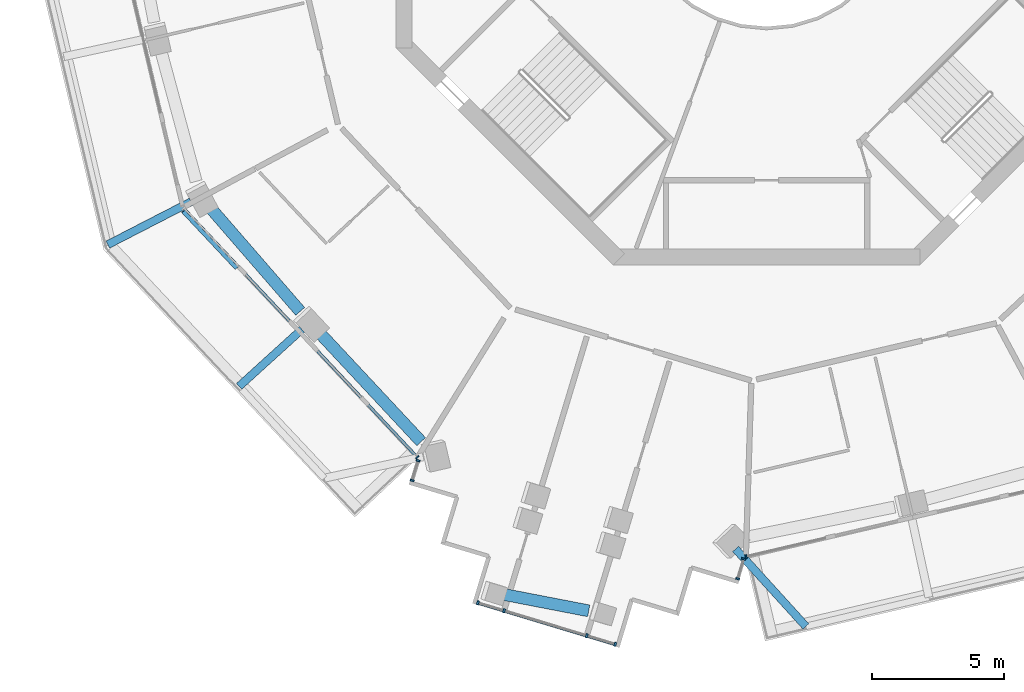
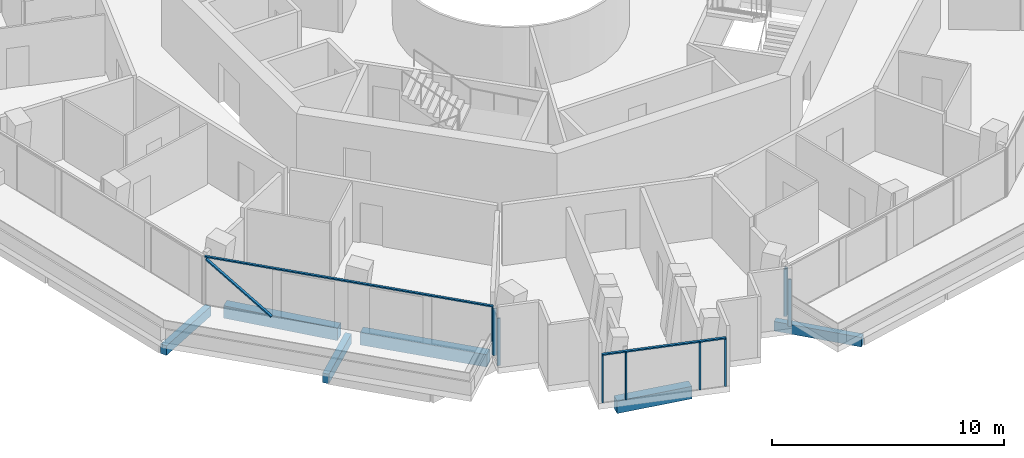
# One storey, part 2 of 24: 13 members, 6 beams, 5 elements without a shape of their own.
"""IFC4 building model written with IfcOpenShell, lengths in metres."""

from ifc_helpers import new_model, si_unit, direction, frame, origin, origin_2d, place, context, subcontext, project, spatial, rectangle, extrude, material, layer, layer_set, material_profile, profile_set, type_object, element, aggregate, save


model = new_model("IFC4")

# Units and contexts
model_context = context("Model", 3, precision=1e-05, world=origin(), true_north=direction((0.0, 1.0)))
body_context = subcontext(model_context, "Body", "Model", "MODEL_VIEW")
ifc_project = project(units=[si_unit("LENGTHUNIT", "METRE"), si_unit("AREAUNIT", "SQUARE_METRE"), si_unit("VOLUMEUNIT", "CUBIC_METRE"), si_unit("PLANEANGLEUNIT", "RADIAN"), si_unit("MASSUNIT", "GRAM", prefix="KILO")], contexts=[model_context])

# Site, building, storey
site_placement = place(None, origin())
site = spatial("IfcSite", under=ifc_project, at=site_placement, CompositionType="ELEMENT")
building_placement = place(site_placement, origin())
building = spatial("IfcBuilding", under=site, at=building_placement, Name="Verdalira Terraces Hotel", CompositionType="ELEMENT")
storey_placement = place(building_placement, frame((0.0, 0.0, 209.0)))
storey = spatial("IfcBuildingStorey", under=building, at=storey_placement, Name="L51", CompositionType="ELEMENT", Elevation=209.0)

# Beams
ifc_material_1 = material(Name="Concrete C40", Category="concrete")
ifc_material_profile_1 = material_profile(ifc_material_1, rectangle(XDim=0.300049, YDim=0.5, at=origin_2d()), Name="RC 300X500")
ifc_profile_set_1 = profile_set([ifc_material_profile_1], Name="Concrete C40")
beam_type_1 = type_object("IfcBeamType", Name="Balcony cantilever beam RC 300X500 C40", PredefinedType="BEAM", material=ifc_profile_set_1)
beam_1_placement = place(storey_placement, frame((-17.566162, -16.438232, -0.560059), z_axis=(-0.740305798, -0.672270277, 0.0), x_axis=(0.672270277, -0.740305798, 0.0)))
element("IfcBeam", 1, at=beam_1_placement, inside=storey, type_object=beam_type_1, Name="Balcony cantilever beam R12-1", PredefinedType="BEAM", context=body_context, shape_type="SweptSolid", body=[
    extrude(rectangle(XDim=0.300049, YDim=0.5, at=origin_2d()), origin(), (0.0, 0.0, 1.0), 3.200928),
])
beam_2_placement = place(storey_placement, frame((-21.748291, -11.612793, -0.560059), z_axis=(-0.889089235, -0.457733911, 0.0), x_axis=(0.457733911, -0.889089235, 0.0)))
element("IfcBeam", 2, at=beam_2_placement, inside=storey, type_object=beam_type_1, Name="Balcony cantilever beam R12-5", PredefinedType="BEAM", context=body_context, shape_type="SweptSolid", body=[
    extrude(rectangle(XDim=0.300049, YDim=0.5, at=origin_2d()), origin(), (0.0, 0.0, 1.0), 3.544678),
])
beam_3_placement = place(storey_placement, frame((-1.172852, -24.739014, -0.560059), z_axis=(0.672294302, -0.74028398, 0.0), x_axis=(0.74028398, 0.672294302, 0.0)))
element("IfcBeam", 3, at=beam_3_placement, inside=storey, type_object=beam_type_1, Name="Balcony cantilever beam R25-1", PredefinedType="BEAM", context=body_context, shape_type="SweptSolid", body=[
    extrude(rectangle(XDim=0.300049, YDim=0.5, at=origin_2d()), origin(), (0.0, 0.0, 1.0), 3.949951),
])

# Curtain wall, member
ifc_material_2 = material(Name="Clear glass", Category="glass")
ifc_layer_1 = layer(ifc_material_2, 0.14990234375)
ifc_layer_set_1 = layer_set([ifc_layer_1], Name="CW1 curtain wall")
curtain_wall_type_1 = type_object("IfcCurtainWallType", Name="CW1 curtain wall", PredefinedType="NOTDEFINED", material=ifc_layer_set_1)
curtain_wall_1_placement = place(storey_placement, origin())
curtain_wall_1 = element("IfcCurtainWall", 4, at=curtain_wall_1_placement, inside=storey, type_object=curtain_wall_type_1, Name="CW1 curtain wall L51 edge 13", PredefinedType="NOTDEFINED")
ifc_material_3 = material(Name="Terracotta frame", Category="masonry")
ifc_material_profile_2 = material_profile(ifc_material_3, rectangle(XDim=0.060059, YDim=0.149902, at=origin_2d()), Name="MU 60x150")
ifc_profile_set_2 = profile_set([ifc_material_profile_2], Name="Terracotta frame")
member_type_1 = type_object("IfcMemberType", Name="CW1 mullion 60x150", PredefinedType="MULLION", material=ifc_profile_set_2)
member_1_placement = place(storey_placement, frame((-13.199951, -21.270996, 0.0), z_axis=(0.0, 0.0, 1.0), x_axis=(0.684547106, -0.728968627, 0.0)))
member_1 = element("IfcMember", 5, at=member_1_placement, type_object=member_type_1, Name="CW1 mullion", PredefinedType="MULLION", context=body_context, shape_type="SweptSolid", body=[
    extrude(rectangle(XDim=0.060059, YDim=0.149902, at=origin_2d()), origin(), (0.0, 0.0, 1.0), 2.475098),
])

curtain_wall_2_placement = place(storey_placement, origin())
curtain_wall_2 = element("IfcCurtainWall", 6, at=curtain_wall_2_placement, inside=storey, type_object=curtain_wall_type_1, Name="CW1 curtain wall L51 edge 25", PredefinedType="NOTDEFINED")
member_2_placement = place(storey_placement, frame((-0.776855, -25.021729, 0.0), z_axis=(0.0, 0.0, 1.0), x_axis=(0.973578903, 0.22835087, 0.0)))
member_2 = element("IfcMember", 7, at=member_2_placement, type_object=member_type_1, Name="CW1 mullion", PredefinedType="MULLION", context=body_context, shape_type="SweptSolid", body=[
    extrude(rectangle(XDim=0.060059, YDim=0.149902, at=origin_2d()), origin(), (0.0, 0.0, 1.0), 2.475098),
])
aggregate(curtain_wall_2, [member_2])

# Member
ifc_material_4 = material(Name="Terracotta frame", Category="masonry")
ifc_material_profile_3 = material_profile(ifc_material_4, rectangle(XDim=0.110107, YDim=0.064941, at=origin_2d()), Name="TR 65x110")
ifc_profile_set_3 = profile_set([ifc_material_profile_3], Name="Terracotta frame")
member_type_2 = type_object("IfcMemberType", Name="CW1 transom 65x110", PredefinedType="USERDEFINED", material=ifc_profile_set_3)
member_3_placement = place(storey_placement, frame((-22.051025, -11.845703, 2.507568), z_axis=(0.684547479, -0.728968277, 0.0), x_axis=(0.728968277, 0.684547479, 0.0)))
member_3 = element("IfcMember", 8, at=member_3_placement, type_object=member_type_2, Name="CW1 transom", ObjectType="TRANSOM", PredefinedType="USERDEFINED", context=body_context, shape_type="SweptSolid", body=[
    extrude(rectangle(XDim=0.110107, YDim=0.064941, at=origin_2d()), origin(), (0.0, 0.0, 1.0), 12.959717),
])

# Curtain wall, members
ifc_material_5 = material(Name="Clear glass", Category="glass")
ifc_layer_2 = layer(ifc_material_5, 0.14990234375)
ifc_layer_set_2 = layer_set([ifc_layer_2], Name="CW2 curtain wall")
curtain_wall_type_2 = type_object("IfcCurtainWallType", Name="CW2 curtain wall", PredefinedType="NOTDEFINED", material=ifc_layer_set_2)
curtain_wall_3_placement = place(storey_placement, origin())
curtain_wall_3 = element("IfcCurtainWall", 9, at=curtain_wall_3_placement, inside=storey, type_object=curtain_wall_type_2, Name="CW2 curtain wall L51 edge 14", PredefinedType="NOTDEFINED")
ifc_material_6 = material(Name="Terracotta frame", Category="masonry")
ifc_material_profile_4 = material_profile(ifc_material_6, rectangle(XDim=0.070068, YDim=0.149902, at=origin_2d()), Name="MU 70x150")
ifc_profile_set_4 = profile_set([ifc_material_profile_4], Name="Terracotta frame")
member_type_3 = type_object("IfcMemberType", Name="CW2 mullion 70x150", PredefinedType="MULLION", material=ifc_profile_set_4)
member_4_placement = place(storey_placement, frame((-13.172363, -21.399414, 0.0), z_axis=(0.0, 0.0, 1.0), x_axis=(-0.289031797, -0.957319498, 0.0)))
member_4 = element("IfcMember", 10, at=member_4_placement, type_object=member_type_3, Name="CW2 mullion", PredefinedType="MULLION", context=body_context, shape_type="SweptSolid", body=[
    extrude(rectangle(XDim=0.070068, YDim=0.149902, at=origin_2d()), origin(), (0.0, 0.0, 1.0), 2.475098),
])
member_5_placement = place(storey_placement, frame((-13.397705, -22.14624, 0.0), z_axis=(0.0, 0.0, 1.0), x_axis=(-0.289031797, -0.957319498, 0.0)))
member_5 = element("IfcMember", 11, at=member_5_placement, type_object=member_type_3, Name="CW2 mullion", PredefinedType="MULLION", context=body_context, shape_type="SweptSolid", body=[
    extrude(rectangle(XDim=0.070068, YDim=0.149902, at=origin_2d()), origin(), (0.0, 0.0, 1.0), 2.475098),
])
aggregate(curtain_wall_3, [member_4, member_5])

curtain_wall_4_placement = place(storey_placement, origin())
curtain_wall_4 = element("IfcCurtainWall", 12, at=curtain_wall_4_placement, inside=storey, type_object=curtain_wall_type_2, Name="CW2 curtain wall L51 edge 24", PredefinedType="NOTDEFINED")
member_6_placement = place(storey_placement, frame((-1.096191, -25.860107, 0.0), z_axis=(0.0, 0.0, 1.0), x_axis=(0.289031797, 0.957319498, 0.0)))
member_6 = element("IfcMember", 13, at=member_6_placement, type_object=member_type_3, Name="CW2 mullion", PredefinedType="MULLION", context=body_context, shape_type="SweptSolid", body=[
    extrude(rectangle(XDim=0.070068, YDim=0.149902, at=origin_2d()), origin(), (0.0, 0.0, 1.0), 2.475098),
])
member_7_placement = place(storey_placement, frame((-0.87085, -25.113525, 0.0), z_axis=(0.0, 0.0, 1.0), x_axis=(0.289031797, 0.957319498, 0.0)))
member_7 = element("IfcMember", 14, at=member_7_placement, type_object=member_type_3, Name="CW2 mullion", PredefinedType="MULLION", context=body_context, shape_type="SweptSolid", body=[
    extrude(rectangle(XDim=0.070068, YDim=0.149902, at=origin_2d()), origin(), (0.0, 0.0, 1.0), 2.475098),
])
aggregate(curtain_wall_4, [member_6, member_7])

ifc_material_7 = material(Name="Clear glass", Category="glass")
ifc_layer_3 = layer(ifc_material_7, 0.14990234375)
ifc_layer_set_3 = layer_set([ifc_layer_3], Name="CW3 curtain wall")
curtain_wall_type_3 = type_object("IfcCurtainWallType", Name="CW3 curtain wall", PredefinedType="NOTDEFINED", material=ifc_layer_set_3)
curtain_wall_5_placement = place(storey_placement, origin())
curtain_wall_5 = element("IfcCurtainWall", 15, at=curtain_wall_5_placement, inside=storey, type_object=curtain_wall_type_3, Name="CW3 curtain wall L51 edge 19", PredefinedType="NOTDEFINED")
ifc_material_8 = material(Name="Terracotta frame", Category="masonry")
ifc_material_profile_5 = material_profile(ifc_material_8, rectangle(XDim=0.080078, YDim=0.149902, at=origin_2d()), Name="MU 80x150")
ifc_profile_set_5 = profile_set([ifc_material_profile_5], Name="Terracotta frame")
member_type_4 = type_object("IfcMemberType", Name="CW3 mullion 80x150", PredefinedType="MULLION", material=ifc_profile_set_5)
member_8_placement = place(storey_placement, frame((-10.913574, -26.771484, 0.0), z_axis=(0.0, 0.0, 1.0), x_axis=(0.957319498, -0.289031797, 0.0)))
member_8 = element("IfcMember", 16, at=member_8_placement, type_object=member_type_4, Name="CW3 mullion", PredefinedType="MULLION", context=body_context, shape_type="SweptSolid", body=[
    extrude(rectangle(XDim=0.080078, YDim=0.149902, at=origin_2d()), origin(), (0.0, 0.0, 1.0), 2.475098),
])
member_9_placement = place(storey_placement, frame((-9.92334, -27.070557, 0.0), z_axis=(0.0, 0.0, 1.0), x_axis=(0.957319498, -0.289031797, 0.0)))
member_9 = element("IfcMember", 17, at=member_9_placement, type_object=member_type_4, Name="CW3 mullion", PredefinedType="MULLION", context=body_context, shape_type="SweptSolid", body=[
    extrude(rectangle(XDim=0.080078, YDim=0.149902, at=origin_2d()), origin(), (0.0, 0.0, 1.0), 2.475098),
])
member_10_placement = place(storey_placement, frame((-6.798096, -28.01416, 0.0), z_axis=(0.0, 0.0, 1.0), x_axis=(0.957319498, -0.289031797, 0.0)))
member_10 = element("IfcMember", 18, at=member_10_placement, type_object=member_type_4, Name="CW3 mullion", PredefinedType="MULLION", context=body_context, shape_type="SweptSolid", body=[
    extrude(rectangle(XDim=0.080078, YDim=0.149902, at=origin_2d()), origin(), (0.0, 0.0, 1.0), 2.475098),
])
member_11_placement = place(storey_placement, frame((-5.724854, -28.338135, 0.0), z_axis=(0.0, 0.0, 1.0), x_axis=(0.957319498, -0.289031797, 0.0)))
member_11 = element("IfcMember", 19, at=member_11_placement, type_object=member_type_4, Name="CW3 mullion", PredefinedType="MULLION", context=body_context, shape_type="SweptSolid", body=[
    extrude(rectangle(XDim=0.080078, YDim=0.149902, at=origin_2d()), origin(), (0.0, 0.0, 1.0), 2.475098),
])
ifc_material_9 = material(Name="Terracotta frame", Category="masonry")
ifc_material_profile_6 = material_profile(ifc_material_9, rectangle(XDim=0.120117, YDim=0.064941, at=origin_2d()), Name="TR 65x120")
ifc_profile_set_6 = profile_set([ifc_material_profile_6], Name="Terracotta frame")
member_type_5 = type_object("IfcMemberType", Name="CW3 transom 65x120", PredefinedType="USERDEFINED", material=ifc_profile_set_6)
member_12_placement = place(storey_placement, frame((-10.951904, -26.76001, 2.507568), z_axis=(0.957321454, -0.289025317, 0.0), x_axis=(0.289025317, 0.957321454, 0.0)))
member_12 = element("IfcMember", 20, at=member_12_placement, type_object=member_type_5, Name="CW3 transom", ObjectType="TRANSOM", PredefinedType="USERDEFINED", context=body_context, shape_type="SweptSolid", body=[
    extrude(rectangle(XDim=0.120117, YDim=0.064941, at=origin_2d()), origin(), (0.0, 0.0, 1.0), 5.499756),
])
aggregate(curtain_wall_5, [member_8, member_9, member_10, member_11, member_12])

# Member
ifc_material_10 = material(Name="Terracotta frame", Category="masonry")
ifc_material_profile_7 = material_profile(ifc_material_10, rectangle(XDim=0.149902, YDim=0.060059, at=origin_2d()), Name="GB 60x150")
ifc_profile_set_7 = profile_set([ifc_material_profile_7], Name="Terracotta frame")
member_type_6 = type_object("IfcMemberType", Name="Diagonal glazing bar 60x150", PredefinedType="USERDEFINED", material=ifc_profile_set_7)
member_13_placement = place(storey_placement, frame((-22.054443, -11.971924, 2.450684), z_axis=(0.528013553, -0.562275196, -0.636434043), x_axis=(0.728967335, 0.684548482, 0.0)))
member_13 = element("IfcMember", 21, at=member_13_placement, type_object=member_type_6, Name="Diagonal glazing bar", ObjectType="GLAZING BAR", PredefinedType="USERDEFINED", context=body_context, shape_type="SweptSolid", body=[
    extrude(rectangle(XDim=0.149902, YDim=0.060059, at=origin_2d()), origin(), (0.0, 0.0, 1.0), 3.812256),
])

aggregate(curtain_wall_1, [member_1, member_3, member_13])

# Beams
ifc_material_11 = material(Name="Concrete C50", Category="concrete")
ifc_material_profile_8 = material_profile(ifc_material_11, rectangle(XDim=0.449951, YDim=0.649902, at=origin_2d()), Name="RC 450X650")
ifc_profile_set_8 = profile_set([ifc_material_profile_8], Name="Concrete C50")
beam_type_2 = type_object("IfcBeamType", Name="Spandrel beam RC 450X650 C50", PredefinedType="SPANDREL", material=ifc_profile_set_8)
beam_4_placement = place(storey_placement, frame((-21.029785, -11.834961, -0.63501), z_axis=(0.655102376, -0.755540122, 0.0), x_axis=(0.755540122, 0.655102376, 0.0)))
element("IfcBeam", 22, at=beam_4_placement, inside=storey, type_object=beam_type_2, Name="Spandrel beam B08", PredefinedType="SPANDREL", context=body_context, shape_type="SweptSolid", body=[
    extrude(rectangle(XDim=0.449951, YDim=0.649902, at=origin_2d()), origin(), (0.0, 0.0, 1.0), 5.192139),
])
beam_5_placement = place(storey_placement, frame((-16.950195, -16.511963, -0.63501), z_axis=(0.682344164, -0.731031082, 0.0), x_axis=(0.731031082, 0.682344164, 0.0)))
element("IfcBeam", 23, at=beam_5_placement, inside=storey, type_object=beam_type_2, Name="Spandrel beam B09", PredefinedType="SPANDREL", context=body_context, shape_type="SweptSolid", body=[
    extrude(rectangle(XDim=0.449951, YDim=0.649902, at=origin_2d()), origin(), (0.0, 0.0, 1.0), 5.706543),
])
beam_6_placement = place(storey_placement, frame((-10.067383, -26.429199, -0.63501), z_axis=(0.981839347, -0.189714248, 0.0), x_axis=(0.189714248, 0.981839347, 0.0)))
element("IfcBeam", 24, at=beam_6_placement, inside=storey, type_object=beam_type_2, Name="Spandrel beam B10", PredefinedType="SPANDREL", context=body_context, shape_type="SweptSolid", body=[
    extrude(rectangle(XDim=0.449951, YDim=0.649902, at=origin_2d()), origin(), (0.0, 0.0, 1.0), 3.405029),
])

save(model, "model.ifc")
